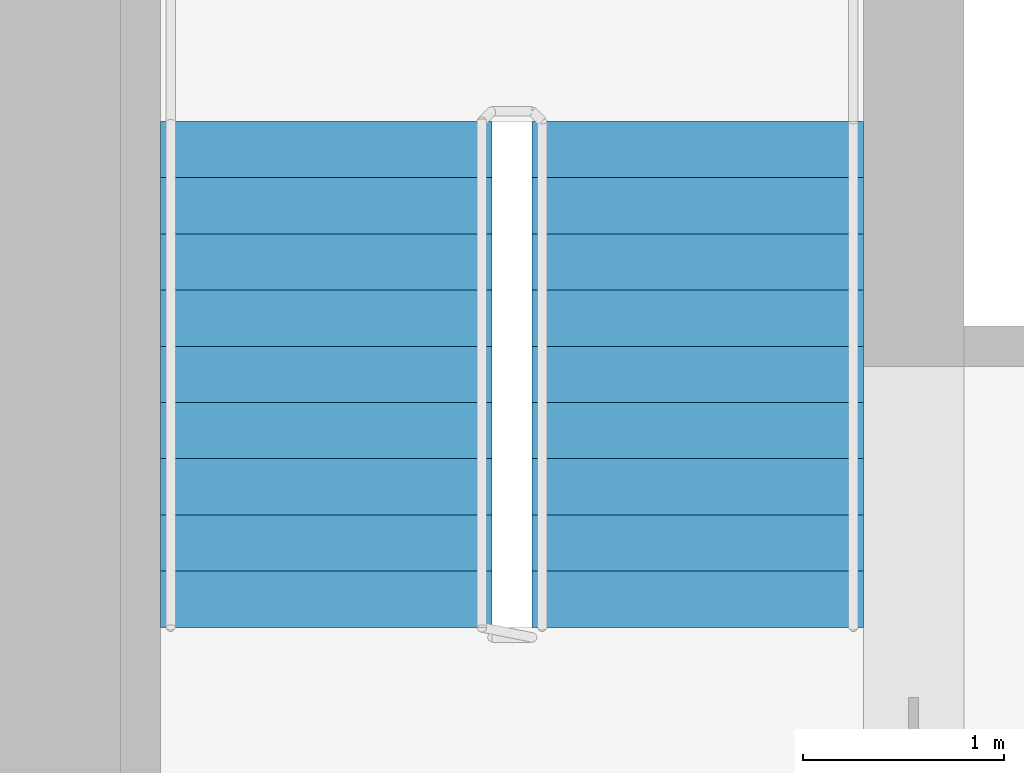
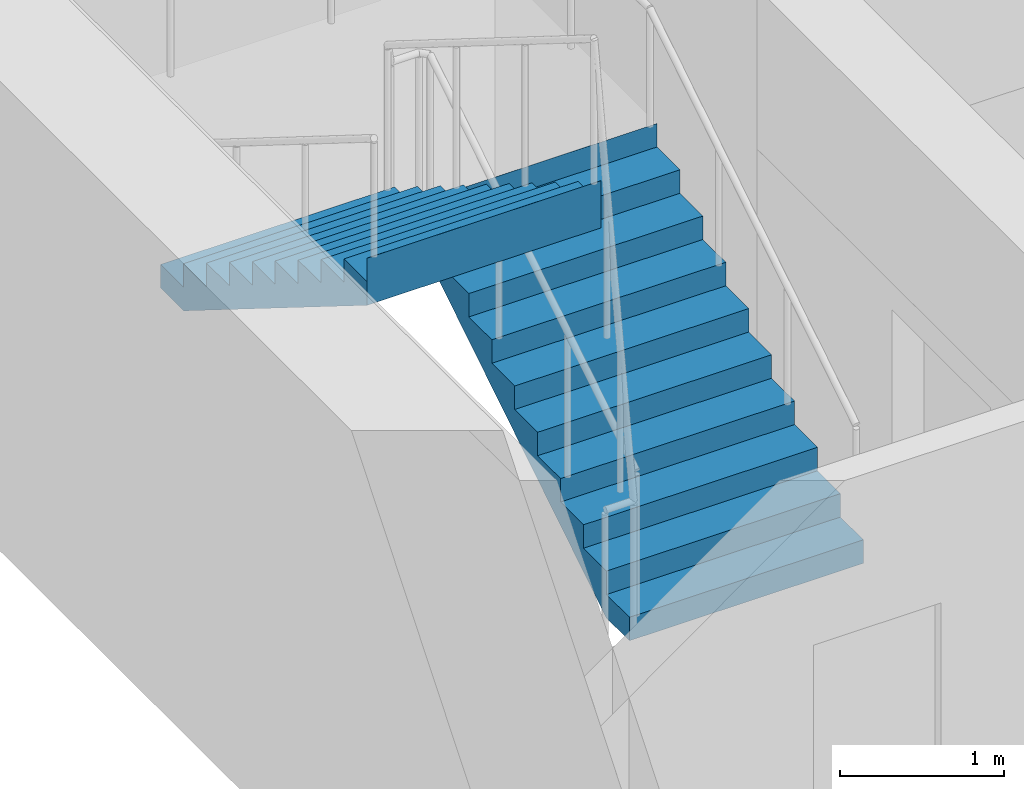
# One storey, part 13 of 14: 2 stair flights, 1 element without a shape of its own.
"""IFC4 building model written with IfcOpenShell, lengths in metres."""

from ifc_helpers import new_model, si_unit, direction, frame, origin, place, context, subcontext, project, spatial, polyline, outline, extrude, material, type_object, element, aggregate, save


model = new_model("IFC4")

# Units and contexts
model_context = context("Model", 3, precision=1e-05, world=origin(), true_north=direction((0.0, 1.0)))
body_context = subcontext(model_context, "Body", "Model", "MODEL_VIEW")
ifc_project = project(units=[si_unit("LENGTHUNIT", "METRE"), si_unit("AREAUNIT", "SQUARE_METRE"), si_unit("VOLUMEUNIT", "CUBIC_METRE"), si_unit("PLANEANGLEUNIT", "RADIAN"), si_unit("MASSUNIT", "GRAM", prefix="KILO")], contexts=[model_context])

# Site, building, storey
site_placement = place(None, origin())
site = spatial("IfcSite", under=ifc_project, at=site_placement, CompositionType="ELEMENT")
building_placement = place(site_placement, origin())
building = spatial("IfcBuilding", under=site, at=building_placement, Name="Tamorin Gate", CompositionType="ELEMENT")
storey_placement = place(building_placement, frame((0.0, 0.0, 200.199951171875)))
storey = spatial("IfcBuildingStorey", under=building, at=storey_placement, Name="L49", CompositionType="ELEMENT", Elevation=200.199951171875)

# Stair, stair flights
ifc_material = material(Name="Concrete C40/50", Category="concrete")
stair_type = type_object("IfcStairType", Name="Exit stair", PredefinedType="HALF_TURN_STAIR", material=ifc_material)
stair_placement = place(storey_placement, origin())
stair = element("IfcStair", 1, at=stair_placement, inside=storey, type_object=stair_type, Name="L49 stair ST2", PredefinedType="HALF_TURN_STAIR")
stair_flight_type = type_object("IfcStairFlightType", Name="Exit stair flight", PredefinedType="STRAIGHT", material=ifc_material)
stair_flight_1_placement = place(storey_placement, frame((33.675048828125, 77.0, 0.0), z_axis=(0.0, 0.0, 1.0), x_axis=(0.0, 1.0, 0.0)))
stair_flight_1 = element("IfcStairFlight", 2, at=stair_flight_1_placement, type_object=stair_flight_type, Name="ST2 flight 1", NumberOfRisers=10, NumberOfTreads=9, PredefinedType="STRAIGHT", RiserHeight=0.175, TreadLength=0.28, context=body_context, shape_type="SweptSolid", body=[
    extrude(outline(polyline([(-0.00048828125, 0.0), (-0.00048828125, 0.001708984375), (-0.00048828125, 0.00341796875), (-0.00048828125, 0.005126953125), (-0.00048828125, 0.0068359375), (-0.00048828125, 0.008544921875), (-0.00048828125, 0.010498046875), (-0.00048828125, 0.01220703125), (-0.00048828125, 0.013916015625), (-0.00048828125, 0.015625), (-0.00048828125, 0.017333984375), (-0.00048828125, 0.01904296875), (-0.00048828125, 0.020751953125), (-0.00048828125, 0.0224609375), (-0.00048828125, 0.024169921875), (-0.00048828125, 0.02587890625), (-0.00048828125, 0.02783203125), (-0.00048828125, 0.029541015625), (-0.00048828125, 0.03125), (-0.00048828125, 0.032958984375), (-0.00048828125, 0.03466796875), (-0.00048828125, 0.036376953125), (-0.00048828125, 0.0380859375), (-0.00048828125, 0.039794921875), (-0.00048828125, 0.04150390625), (-0.00048828125, 0.043212890625), (-0.00048828125, 0.045166015625), (-0.00048828125, 0.046875), (-0.00048828125, 0.048583984375), (-0.00048828125, 0.05029296875), (-0.00048828125, 0.052001953125), (-0.00048828125, 0.0537109375), (-0.00048828125, 0.055419921875), (-0.00048828125, 0.05712890625), (-0.00048828125, 0.058837890625), (-0.00048828125, 0.060546875), (-0.00048828125, 0.062255859375), (-0.00048828125, 0.064208984375), (-0.00048828125, 0.06591796875), (-0.00048828125, 0.067626953125), (-0.00048828125, 0.0693359375), (-0.00048828125, 0.071044921875), (-0.00048828125, 0.07275390625), (-0.00048828125, 0.074462890625), (-0.00048828125, 0.076171875), (-0.00048828125, 0.077880859375), (-0.00048828125, 0.07958984375), (-0.00048828125, 0.08154296875), (-0.00048828125, 0.083251953125), (-0.00048828125, 0.0849609375), (-0.00048828125, 0.086669921875), (-0.00048828125, 0.08837890625), (-0.00048828125, 0.090087890625), (-0.00048828125, 0.091796875), (-0.00048828125, 0.093505859375), (-0.00048828125, 0.09521484375), (-0.00048828125, 0.096923828125), (-0.00048828125, 0.098876953125), (-0.00048828125, 0.1005859375), (-0.00048828125, 0.102294921875), (-0.00048828125, 0.10400390625), (-0.00048828125, 0.105712890625), (-0.00048828125, 0.107421875), (-0.00048828125, 0.109130859375), (-0.00048828125, 0.11083984375), (-0.00048828125, 0.112548828125), (-0.00048828125, 0.1142578125), (-0.00048828125, 0.1162109375), (-0.00048828125, 0.117919921875), (-0.00048828125, 0.11962890625), (-0.00048828125, 0.121337890625), (-0.00048828125, 0.123046875), (-0.00048828125, 0.124755859375), (-0.00048828125, 0.12646484375), (-0.00048828125, 0.128173828125), (-0.00048828125, 0.1298828125), (-0.00048828125, 0.131591796875), (-0.00048828125, 0.13330078125), (-0.00048828125, 0.13525390625), (-0.00048828125, 0.136962890625), (-0.00048828125, 0.138671875), (-0.00048828125, 0.140380859375), (-0.00048828125, 0.14208984375), (-0.00048828125, 0.143798828125), (-0.00048828125, 0.1455078125), (-0.00048828125, 0.147216796875), (-0.00048828125, 0.14892578125), (-0.00048828125, 0.150634765625), (-0.00048828125, 0.152587890625), (-0.00048828125, 0.154296875), (-0.00048828125, 0.156005859375), (-0.00048828125, 0.15771484375), (-0.00048828125, 0.159423828125), (-0.00048828125, 0.1611328125), (-0.00048828125, 0.162841796875), (-0.00048828125, 0.16455078125), (-0.00048828125, 0.166259765625), (-0.00048828125, 0.16796875), (-0.00048828125, 0.169921875), (-0.00048828125, 0.171630859375), (-0.00048828125, 0.17333984375), (-0.00048828125, 0.175048828125), (0.280029296875, 0.175048828125), (0.280029296875, 0.35009765625), (0.56005859375, 0.35009765625), (0.56005859375, 0.52490234375), (0.840087890625, 0.52490234375), (0.840087890625, 0.699951171875), (1.1201171875, 0.699951171875), (1.1201171875, 0.875), (1.39990234375, 0.875), (1.39990234375, 1.050048828125), (1.679931640625, 1.050048828125), (1.679931640625, 1.22509765625), (1.9599609375, 1.22509765625), (1.9599609375, 1.39990234375), (2.239990234375, 1.39990234375), (2.239990234375, 1.574951171875), (2.52001953125, 1.574951171875), (2.52001953125, 1.75), (2.5205078125, 1.75), (2.5205078125, 1.74658203125), (2.5205078125, 1.742919921875), (2.5205078125, 1.739501953125), (2.5205078125, 1.736083984375), (2.5205078125, 1.732666015625), (2.5205078125, 1.72900390625), (2.5205078125, 1.7255859375), (2.5205078125, 1.72216796875), (2.5205078125, 1.71875), (2.5205078125, 1.715087890625), (2.5205078125, 1.711669921875), (2.5205078125, 1.708251953125), (2.5205078125, 1.704833984375), (2.5205078125, 1.701171875), (2.5205078125, 1.69775390625), (2.5205078125, 1.6943359375), (2.5205078125, 1.690673828125), (2.5205078125, 1.687255859375), (2.5205078125, 1.683837890625), (2.5205078125, 1.680419921875), (2.5205078125, 1.6767578125), (2.5205078125, 1.67333984375), (2.5205078125, 1.669921875), (2.5205078125, 1.66650390625), (2.5205078125, 1.662841796875), (2.5205078125, 1.659423828125), (2.5205078125, 1.656005859375), (2.5205078125, 1.652587890625), (2.5205078125, 1.64892578125), (2.5205078125, 1.6455078125), (2.5205078125, 1.64208984375), (2.5205078125, 1.638427734375), (2.5205078125, 1.635009765625), (2.5205078125, 1.631591796875), (2.5205078125, 1.628173828125), (2.5205078125, 1.62451171875), (2.5205078125, 1.62109375), (2.5205078125, 1.61767578125), (2.5205078125, 1.6142578125), (2.5205078125, 1.610595703125), (2.5205078125, 1.607177734375), (2.5205078125, 1.603759765625), (2.5205078125, 1.600341796875), (2.5205078125, 1.5966796875), (2.5205078125, 1.59326171875), (2.5205078125, 1.58984375), (2.5205078125, 1.58642578125), (2.5205078125, 1.582763671875), (2.5205078125, 1.579345703125), (2.5205078125, 1.575927734375), (2.5205078125, 1.572265625), (2.5205078125, 1.56884765625), (2.5205078125, 1.5654296875), (2.5205078125, 1.56201171875), (2.5205078125, 1.558349609375), (2.5205078125, 1.554931640625), (2.5205078125, 1.551513671875), (2.5205078125, 1.548095703125), (2.5205078125, 1.54443359375), (2.5205078125, 1.541015625), (2.5205078125, 1.53759765625), (2.5205078125, 1.5341796875), (2.5205078125, 1.530517578125), (2.5205078125, 1.527099609375), (2.5205078125, 1.523681640625), (2.5205078125, 1.52001953125), (2.5205078125, 1.5166015625), (2.5205078125, 1.51318359375), (2.5205078125, 1.509765625), (2.5205078125, 1.506103515625), (2.5205078125, 1.502685546875), (2.5205078125, 1.499267578125), (2.5205078125, 1.495849609375), (2.5205078125, 1.4921875), (2.5205078125, 1.48876953125), (2.5205078125, 1.4853515625), (2.5205078125, 1.48193359375), (2.5205078125, 1.478271484375), (2.5205078125, 1.474853515625), (2.5205078125, 1.471435546875), (2.5205078125, 1.4677734375), (2.5205078125, 1.46435546875), (2.5205078125, 1.4609375), (2.5205078125, 1.45751953125), (2.5205078125, 1.453857421875), (2.5205078125, 1.450439453125), (2.5205078125, 1.447021484375), (2.5205078125, 1.443603515625), (2.5205078125, 1.43994140625), (2.5205078125, 1.4365234375), (2.5205078125, 1.43310546875), (2.5205078125, 1.4296875), (2.5205078125, 1.426025390625), (2.5205078125, 1.422607421875), (2.5205078125, 1.419189453125), (2.5205078125, 1.41552734375), (2.5205078125, 1.412109375), (2.5205078125, 1.40869140625), (2.5205078125, 1.4052734375), (2.5205078125, 1.401611328125), (2.5205078125, 1.398193359375), (2.52001953125, 1.398193359375), (0.28271484375, 0.0), (-0.00048828125, 0.0)])), frame((0.0, 0.824951171875, 0.0), z_axis=(0.0, -1.0, 0.0), x_axis=(1.0, 0.0, 0.0)), (0.0, 0.0, 1.0), 1.64990234375),
])
stair_flight_2_placement = place(storey_placement, frame((31.824951171875, 79.52001953125, 1.75), z_axis=(0.0, 0.0, 1.0), x_axis=(0.0, -1.0, 0.0)))
stair_flight_2 = element("IfcStairFlight", 3, at=stair_flight_2_placement, type_object=stair_flight_type, Name="ST2 flight 2", NumberOfRisers=10, NumberOfTreads=9, PredefinedType="STRAIGHT", RiserHeight=0.175, TreadLength=0.28, context=body_context, shape_type="SweptSolid", body=[
    extrude(outline(polyline([(-0.00048828125, 0.0), (-0.00048828125, 0.001708984375), (-0.00048828125, 0.00341796875), (-0.00048828125, 0.005126953125), (-0.00048828125, 0.0068359375), (-0.00048828125, 0.008544921875), (-0.00048828125, 0.010498046875), (-0.00048828125, 0.01220703125), (-0.00048828125, 0.013916015625), (-0.00048828125, 0.015625), (-0.00048828125, 0.017333984375), (-0.00048828125, 0.01904296875), (-0.00048828125, 0.020751953125), (-0.00048828125, 0.0224609375), (-0.00048828125, 0.024169921875), (-0.00048828125, 0.02587890625), (-0.00048828125, 0.02783203125), (-0.00048828125, 0.029541015625), (-0.00048828125, 0.03125), (-0.00048828125, 0.032958984375), (-0.00048828125, 0.03466796875), (-0.00048828125, 0.036376953125), (-0.00048828125, 0.0380859375), (-0.00048828125, 0.039794921875), (-0.00048828125, 0.04150390625), (-0.00048828125, 0.043212890625), (-0.00048828125, 0.045166015625), (-0.00048828125, 0.046875), (-0.00048828125, 0.048583984375), (-0.00048828125, 0.05029296875), (-0.00048828125, 0.052001953125), (-0.00048828125, 0.0537109375), (-0.00048828125, 0.055419921875), (-0.00048828125, 0.05712890625), (-0.00048828125, 0.058837890625), (-0.00048828125, 0.060546875), (-0.00048828125, 0.062255859375), (-0.00048828125, 0.064208984375), (-0.00048828125, 0.06591796875), (-0.00048828125, 0.067626953125), (-0.00048828125, 0.0693359375), (-0.00048828125, 0.071044921875), (-0.00048828125, 0.07275390625), (-0.00048828125, 0.074462890625), (-0.00048828125, 0.076171875), (-0.00048828125, 0.077880859375), (-0.00048828125, 0.07958984375), (-0.00048828125, 0.08154296875), (-0.00048828125, 0.083251953125), (-0.00048828125, 0.0849609375), (-0.00048828125, 0.086669921875), (-0.00048828125, 0.08837890625), (-0.00048828125, 0.090087890625), (-0.00048828125, 0.091796875), (-0.00048828125, 0.093505859375), (-0.00048828125, 0.09521484375), (-0.00048828125, 0.096923828125), (-0.00048828125, 0.098876953125), (-0.00048828125, 0.1005859375), (-0.00048828125, 0.102294921875), (-0.00048828125, 0.10400390625), (-0.00048828125, 0.105712890625), (-0.00048828125, 0.107421875), (-0.00048828125, 0.109130859375), (-0.00048828125, 0.11083984375), (-0.00048828125, 0.112548828125), (-0.00048828125, 0.1142578125), (-0.00048828125, 0.1162109375), (-0.00048828125, 0.117919921875), (-0.00048828125, 0.11962890625), (-0.00048828125, 0.121337890625), (-0.00048828125, 0.123046875), (-0.00048828125, 0.124755859375), (-0.00048828125, 0.12646484375), (-0.00048828125, 0.128173828125), (-0.00048828125, 0.1298828125), (-0.00048828125, 0.131591796875), (-0.00048828125, 0.13330078125), (-0.00048828125, 0.13525390625), (-0.00048828125, 0.136962890625), (-0.00048828125, 0.138671875), (-0.00048828125, 0.140380859375), (-0.00048828125, 0.14208984375), (-0.00048828125, 0.143798828125), (-0.00048828125, 0.1455078125), (-0.00048828125, 0.147216796875), (-0.00048828125, 0.14892578125), (-0.00048828125, 0.150634765625), (-0.00048828125, 0.152587890625), (-0.00048828125, 0.154296875), (-0.00048828125, 0.156005859375), (-0.00048828125, 0.15771484375), (-0.00048828125, 0.159423828125), (-0.00048828125, 0.1611328125), (-0.00048828125, 0.162841796875), (-0.00048828125, 0.16455078125), (-0.00048828125, 0.166259765625), (-0.00048828125, 0.16796875), (-0.00048828125, 0.169921875), (-0.00048828125, 0.171630859375), (-0.00048828125, 0.17333984375), (-0.00048828125, 0.175048828125), (0.280029296875, 0.175048828125), (0.280029296875, 0.35009765625), (0.56005859375, 0.35009765625), (0.56005859375, 0.52490234375), (0.840087890625, 0.52490234375), (0.840087890625, 0.699951171875), (1.1201171875, 0.699951171875), (1.1201171875, 0.875), (1.39990234375, 0.875), (1.39990234375, 1.050048828125), (1.679931640625, 1.050048828125), (1.679931640625, 1.22509765625), (1.9599609375, 1.22509765625), (1.9599609375, 1.39990234375), (2.239990234375, 1.39990234375), (2.239990234375, 1.574951171875), (2.52001953125, 1.574951171875), (2.52001953125, 1.75), (2.5205078125, 1.75), (2.5205078125, 1.74658203125), (2.5205078125, 1.742919921875), (2.5205078125, 1.739501953125), (2.5205078125, 1.736083984375), (2.5205078125, 1.732666015625), (2.5205078125, 1.72900390625), (2.5205078125, 1.7255859375), (2.5205078125, 1.72216796875), (2.5205078125, 1.71875), (2.5205078125, 1.715087890625), (2.5205078125, 1.711669921875), (2.5205078125, 1.708251953125), (2.5205078125, 1.704833984375), (2.5205078125, 1.701171875), (2.5205078125, 1.69775390625), (2.5205078125, 1.6943359375), (2.5205078125, 1.690673828125), (2.5205078125, 1.687255859375), (2.5205078125, 1.683837890625), (2.5205078125, 1.680419921875), (2.5205078125, 1.6767578125), (2.5205078125, 1.67333984375), (2.5205078125, 1.669921875), (2.5205078125, 1.66650390625), (2.5205078125, 1.662841796875), (2.5205078125, 1.659423828125), (2.5205078125, 1.656005859375), (2.5205078125, 1.652587890625), (2.5205078125, 1.64892578125), (2.5205078125, 1.6455078125), (2.5205078125, 1.64208984375), (2.5205078125, 1.638427734375), (2.5205078125, 1.635009765625), (2.5205078125, 1.631591796875), (2.5205078125, 1.628173828125), (2.5205078125, 1.62451171875), (2.5205078125, 1.62109375), (2.5205078125, 1.61767578125), (2.5205078125, 1.6142578125), (2.5205078125, 1.610595703125), (2.5205078125, 1.607177734375), (2.5205078125, 1.603759765625), (2.5205078125, 1.600341796875), (2.5205078125, 1.5966796875), (2.5205078125, 1.59326171875), (2.5205078125, 1.58984375), (2.5205078125, 1.58642578125), (2.5205078125, 1.582763671875), (2.5205078125, 1.579345703125), (2.5205078125, 1.575927734375), (2.5205078125, 1.572265625), (2.5205078125, 1.56884765625), (2.5205078125, 1.5654296875), (2.5205078125, 1.56201171875), (2.5205078125, 1.558349609375), (2.5205078125, 1.554931640625), (2.5205078125, 1.551513671875), (2.5205078125, 1.548095703125), (2.5205078125, 1.54443359375), (2.5205078125, 1.541015625), (2.5205078125, 1.53759765625), (2.5205078125, 1.5341796875), (2.5205078125, 1.530517578125), (2.5205078125, 1.527099609375), (2.5205078125, 1.523681640625), (2.5205078125, 1.52001953125), (2.5205078125, 1.5166015625), (2.5205078125, 1.51318359375), (2.5205078125, 1.509765625), (2.5205078125, 1.506103515625), (2.5205078125, 1.502685546875), (2.5205078125, 1.499267578125), (2.5205078125, 1.495849609375), (2.5205078125, 1.4921875), (2.5205078125, 1.48876953125), (2.5205078125, 1.4853515625), (2.5205078125, 1.48193359375), (2.5205078125, 1.478271484375), (2.5205078125, 1.474853515625), (2.5205078125, 1.471435546875), (2.5205078125, 1.4677734375), (2.5205078125, 1.46435546875), (2.5205078125, 1.4609375), (2.5205078125, 1.45751953125), (2.5205078125, 1.453857421875), (2.5205078125, 1.450439453125), (2.5205078125, 1.447021484375), (2.5205078125, 1.443603515625), (2.5205078125, 1.43994140625), (2.5205078125, 1.4365234375), (2.5205078125, 1.43310546875), (2.5205078125, 1.4296875), (2.5205078125, 1.426025390625), (2.5205078125, 1.422607421875), (2.5205078125, 1.419189453125), (2.5205078125, 1.41552734375), (2.5205078125, 1.412109375), (2.5205078125, 1.40869140625), (2.5205078125, 1.4052734375), (2.5205078125, 1.401611328125), (2.5205078125, 1.398193359375), (2.52001953125, 1.398193359375), (0.28271484375, 0.0), (-0.00048828125, 0.0)])), frame((0.0, 0.824951171875, 0.0), z_axis=(0.0, -1.0, 0.0), x_axis=(1.0, 0.0, 0.0)), (0.0, 0.0, 1.0), 1.64990234375),
])
aggregate(stair, [stair_flight_1, stair_flight_2])

save(model, "model.ifc")
